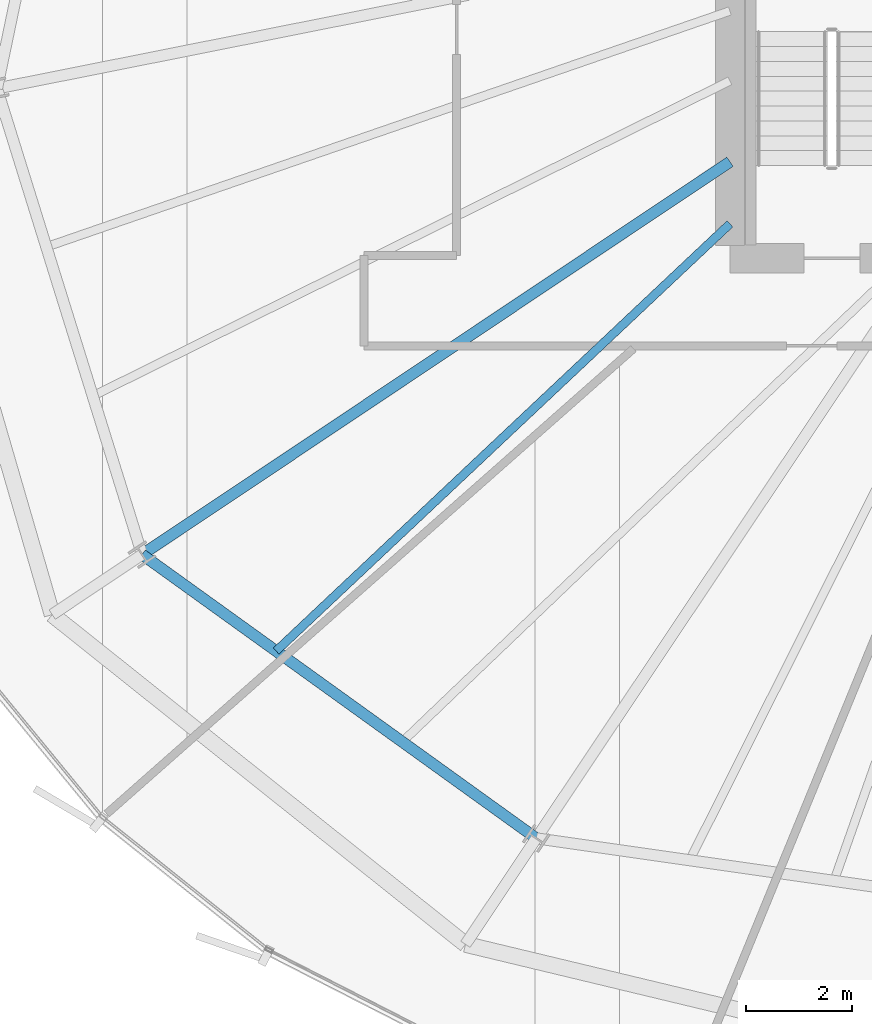
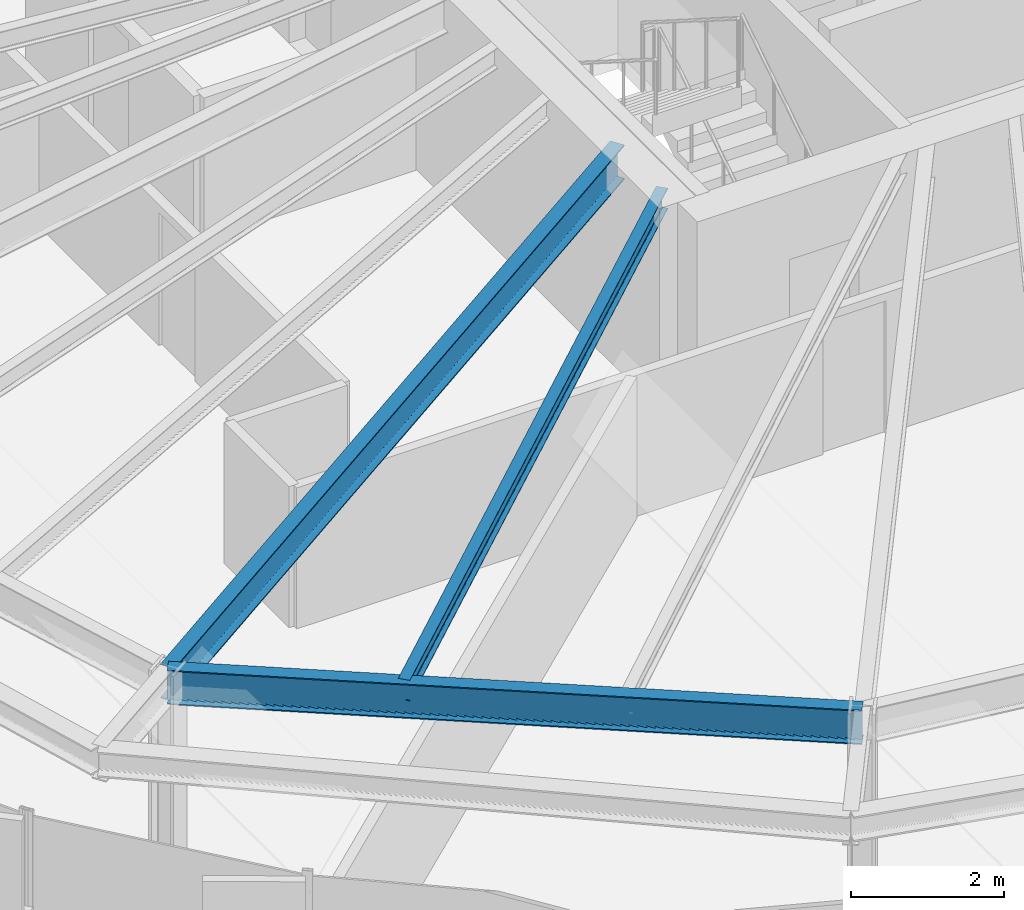
# One storey, part 5 of 35: 3 beams.
"""IFC4 building model written with IfcOpenShell, lengths in metres."""

from ifc_helpers import new_model, si_unit, direction, frame, origin, origin_2d, place, context, subcontext, project, spatial, i_section, extrude, source, transform, mapped, material, material_profile, profile_set, type_object, element, save


model = new_model("IFC4")

# Units and contexts
model_context = context("Model", 3, precision=1e-05, world=origin(), true_north=direction((0.0, 1.0)))
body_context = subcontext(model_context, "Body", "Model", "MODEL_VIEW")
ifc_project = project(units=[si_unit("LENGTHUNIT", "METRE"), si_unit("AREAUNIT", "SQUARE_METRE"), si_unit("VOLUMEUNIT", "CUBIC_METRE"), si_unit("PLANEANGLEUNIT", "RADIAN"), si_unit("MASSUNIT", "GRAM", prefix="KILO"), si_unit("THERMODYNAMICTEMPERATUREUNIT", "KELVIN")], contexts=[model_context])

# Site, building, storey
site_placement = place(None, origin())
site = spatial("IfcSite", under=ifc_project, at=site_placement, CompositionType="ELEMENT")
building_placement = place(site_placement, origin())
building = spatial("IfcBuilding", under=site, at=building_placement, Name="Kethvar Cultural Tower", CompositionType="ELEMENT")
storey_placement = place(building_placement, frame((0.0, 0.0, 167.85009765625)))
storey = spatial("IfcBuildingStorey", under=building, at=storey_placement, Name="L43", CompositionType="ELEMENT", Elevation=167.85009765625)

# Beams
ifc_material = material(Name="Steel S355J2", Category="steel")
ifc_material_profile_1 = material_profile(ifc_material, i_section(OverallWidth=0.2099609375, OverallDepth=0.550048828125, WebThickness=0.010986328125, FlangeThickness=0.01708984375, FilletRadius=0.02392578125, at=origin_2d()), Name="Steel S355J2 — IPE550")
ifc_profile_set_1 = profile_set([ifc_material_profile_1], Name="Steel S355J2 — IPE550")
beam_type_1 = type_object("IfcBeamType", Name="BM-IPE550", PredefinedType="BEAM", material=ifc_profile_set_1)
shared_shape_1 = source(origin(), body_context, "Body", "SweptSolid", [
    extrude(i_section(OverallWidth=0.2099609375, OverallDepth=0.550048828125, WebThickness=0.010986328125, FlangeThickness=0.01708984375, FilletRadius=0.02392578125, at=origin_2d()), origin(), (0.0, 0.0, 1.0), 13.324951171875),
])
beam_1_placement = place(storey_placement, frame((38.0, 21.919921875, 2.962890625), z_axis=(-0.831474815475, -0.555562445843, 0.0), x_axis=(0.555562445843, -0.831474815475, 0.0)))
element("IfcBeam", 1, at=beam_1_placement, inside=storey, type_object=beam_type_1, Name="L43 Primary Radial Beam RB-10", PredefinedType="BEAM", context=body_context, shape_type="MappedRepresentation", body=[
    mapped(shared_shape_1, transform((0.0, 0.0, 0.0), scale=1.0)),
])
shared_shape_2 = source(origin(), body_context, "Body", "SweptSolid", [
    extrude(i_section(OverallWidth=0.2099609375, OverallDepth=0.550048828125, WebThickness=0.010986328125, FlangeThickness=0.01708984375, FilletRadius=0.02392578125, at=origin_2d()), origin(), (0.0, 0.0, 1.0), 9.155029296875),
])
beam_2_placement = place(storey_placement, frame((26.920654296875, 14.51708984375, 2.962890625), z_axis=(0.811590987974, -0.584226042076, 0.0), x_axis=(0.584226042076, 0.811590987974, 0.0)))
element("IfcBeam", 2, at=beam_2_placement, inside=storey, type_object=beam_type_1, Name="L43 Column Ring Tie Beam CR-10", PredefinedType="BEAM", context=body_context, shape_type="MappedRepresentation", body=[
    mapped(shared_shape_2, transform((0.0, 0.0, 0.0), scale=1.0)),
])
ifc_material_profile_2 = material_profile(ifc_material, i_section(OverallWidth=0.159912109375, OverallDepth=0.330078125, WebThickness=0.007568359375, FlangeThickness=0.011474609375, FilletRadius=0.01806640625, at=origin_2d()), Name="Steel S355J2 — IPE330")
ifc_profile_set_2 = profile_set([ifc_material_profile_2], Name="Steel S355J2 — IPE330")
beam_type_2 = type_object("IfcBeamType", Name="BM-J330", PredefinedType="JOIST", material=ifc_profile_set_2)
shared_shape_3 = source(origin(), body_context, "Body", "SweptSolid", [
    extrude(i_section(OverallWidth=0.159912109375, OverallDepth=0.330078125, WebThickness=0.007568359375, FlangeThickness=0.011474609375, FilletRadius=0.01806640625, at=origin_2d()), origin(), (0.0, 0.0, 1.0), 11.74658203125),
])
beam_3_placement = place(storey_placement, frame((38.0, 20.75, 3.072998046875), z_axis=(-0.728129818661, -0.685439251266, 0.0), x_axis=(0.685439251266, -0.728129818661, 0.0)))
element("IfcBeam", 3, at=beam_3_placement, inside=storey, type_object=beam_type_2, Name="L43 Composite Floor Joist J-10A", PredefinedType="JOIST", context=body_context, shape_type="MappedRepresentation", body=[
    mapped(shared_shape_3, transform((0.0, 0.0, 0.0), scale=1.0)),
])

save(model, "model.ifc")
